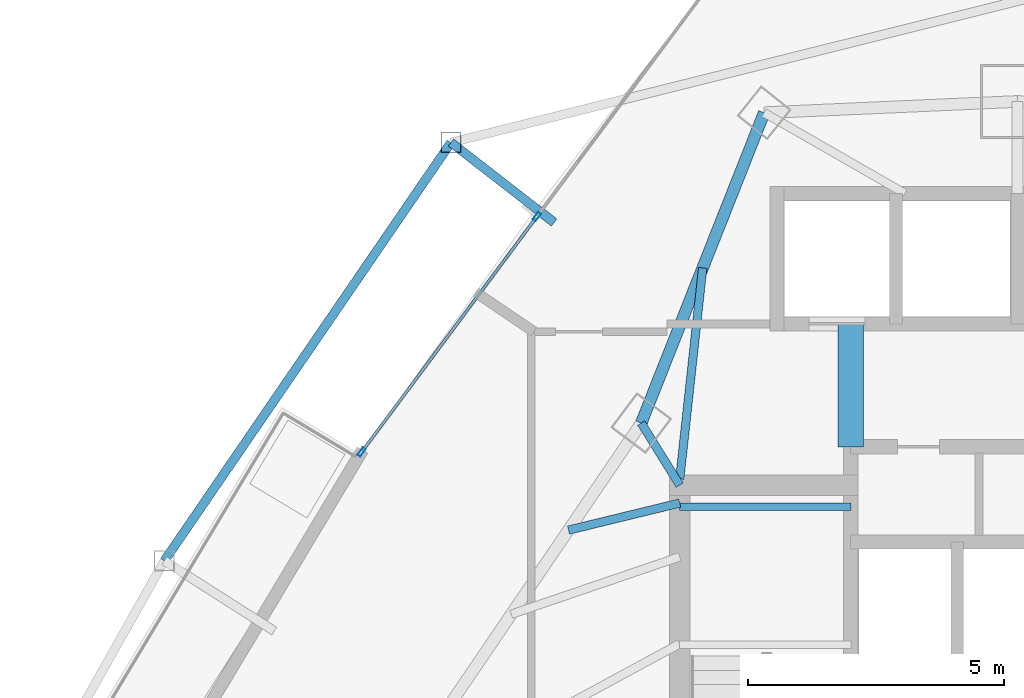
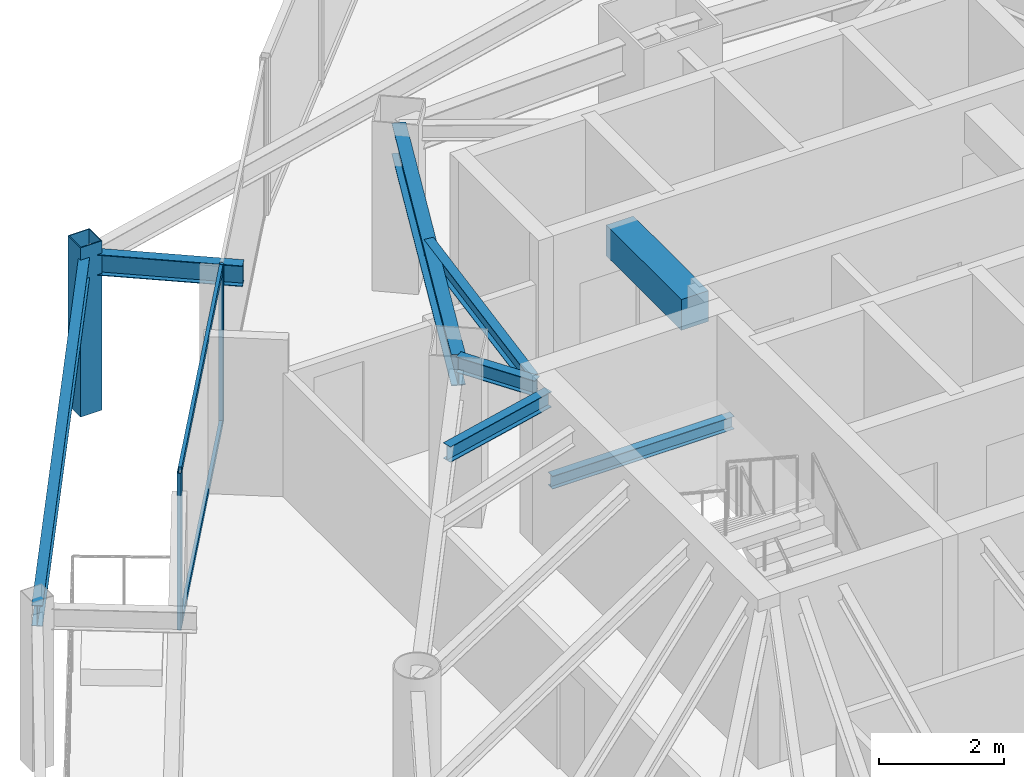
# One storey, part 20 of 33: 8 beams, 5 members, 1 element without a shape of its own.
"""IFC4 building model written with IfcOpenShell, lengths in metres."""

from ifc_helpers import new_model, si_unit, direction, frame, origin, origin_2d, place, context, subcontext, project, spatial, rectangle, hollow_rectangle, i_section, extrude, material, layer, layer_set, material_profile, profile_set, type_object, element, aggregate, save


model = new_model("IFC4")

# Units and contexts
model_context = context("Model", 3, precision=1e-05, world=origin(), true_north=direction((0.0, 1.0)))
body_context = subcontext(model_context, "Body", "Model", "MODEL_VIEW")
ifc_project = project(units=[si_unit("LENGTHUNIT", "METRE"), si_unit("AREAUNIT", "SQUARE_METRE"), si_unit("VOLUMEUNIT", "CUBIC_METRE"), si_unit("PLANEANGLEUNIT", "RADIAN"), si_unit("MASSUNIT", "GRAM", prefix="KILO")], contexts=[model_context])

# Site, building, storey
site_placement = place(None, origin())
site = spatial("IfcSite", under=ifc_project, at=site_placement, CompositionType="ELEMENT")
building_placement = place(site_placement, origin())
building = spatial("IfcBuilding", under=site, at=building_placement, Name="Orvanel Arch Residences", CompositionType="ELEMENT")
storey_placement = place(building_placement, frame((0.0, 0.0, 119.89990234375)))
storey = spatial("IfcBuildingStorey", under=building, at=storey_placement, Name="L33", CompositionType="ELEMENT", Elevation=119.89990234375)

# Beams
ifc_material_1 = material(Name="Structural steel AS/NZS 3679.1 Grade 300 (300 MPa)", Category="steel")
ifc_material_profile_1 = material_profile(ifc_material_1, i_section(OverallWidth=0.14599609375, OverallDepth=0.251953125, WebThickness=0.006103515625, FlangeThickness=0.008544921875, at=origin_2d()), Name="250UB31.4")
ifc_profile_set_1 = profile_set([ifc_material_profile_1], Name="Structural steel AS/NZS 3679.1 Grade 300 (300 MPa)")
beam_type_1 = type_object("IfcBeamType", Name="BJ-250UB", PredefinedType="JOIST", material=ifc_profile_set_1)
beam_1_placement = place(storey_placement, frame((26.39990234375, 33.47998046875, 1.32421875), z_axis=(1.0, 0.0, 0.0), x_axis=(0.0, 1.0, 0.0)))
element("IfcBeam", 1, at=beam_1_placement, inside=storey, type_object=beam_type_1, Name="L33 ST-1 Half-Landing Support Beam 1.2", PredefinedType="JOIST", context=body_context, shape_type="SweptSolid", body=[
    extrude(i_section(OverallWidth=0.14599609375, OverallDepth=0.251953125, WebThickness=0.006103515625, FlangeThickness=0.008544921875, at=origin_2d()), origin(), (0.0, 0.0, 1.0), 3.35009765625),
])
ifc_material_profile_2 = material_profile(ifc_material_1, i_section(OverallWidth=0.1650390625, OverallDepth=0.303955078125, WebThickness=0.006103515625, FlangeThickness=0.01025390625, at=origin_2d()), Name="310UB40.4")
ifc_profile_set_2 = profile_set([ifc_material_profile_2], Name="Structural steel AS/NZS 3679.1 Grade 300 (300 MPa)")
beam_type_2 = type_object("IfcBeamType", Name="BJ-310UB", PredefinedType="JOIST", material=ifc_profile_set_2)
beam_2_placement = place(storey_placement, frame((26.39990234375, 33.89990234375, 2.908203125), z_axis=(-0.526843290616, 0.84996243866, 0.0), x_axis=(-0.84996243866, -0.526843290616, 0.0)))
element("IfcBeam", 2, at=beam_2_placement, inside=storey, type_object=beam_type_2, Name="L33 NNW Wing Floor Joist", PredefinedType="JOIST", context=body_context, shape_type="SweptSolid", body=[
    extrude(i_section(OverallWidth=0.1650390625, OverallDepth=0.303955078125, WebThickness=0.006103515625, FlangeThickness=0.01025390625, at=origin_2d()), origin(), (0.0, 0.0, 1.0), 1.42724609375),
])
beam_3_placement = place(storey_placement, frame((26.39990234375, 34.02001953125, 2.908203125), z_axis=(0.108261441852, 0.99412245735, 0.0), x_axis=(-0.99412245735, 0.108261441852, 0.0)))
element("IfcBeam", 3, at=beam_3_placement, inside=storey, type_object=beam_type_2, Name="L33 NNW2 Wing Floor Joist", PredefinedType="JOIST", context=body_context, shape_type="SweptSolid", body=[
    extrude(i_section(OverallWidth=0.1650390625, OverallDepth=0.303955078125, WebThickness=0.006103515625, FlangeThickness=0.01025390625, at=origin_2d()), origin(), (0.0, 0.0, 1.0), 4.1494140625),
])
beam_4_placement = place(storey_placement, frame((26.39990234375, 33.550048828125, 2.908203125), z_axis=(-0.971638471014, -0.236471312521, 0.0), x_axis=(0.236471312521, -0.971638471014, 0.0)))
element("IfcBeam", 4, at=beam_4_placement, inside=storey, type_object=beam_type_2, Name="L33 JADD3 Wing Floor Joist", PredefinedType="JOIST", context=body_context, shape_type="SweptSolid", body=[
    extrude(i_section(OverallWidth=0.1650390625, OverallDepth=0.303955078125, WebThickness=0.006103515625, FlangeThickness=0.01025390625, at=origin_2d()), origin(), (0.0, 0.0, 1.0), 2.2373046875),
])
ifc_material_2 = material(Name="Concrete S65 (65 MPa)", Category="concrete")
ifc_material_profile_3 = material_profile(ifc_material_2, rectangle(XDim=0.5, YDim=0.60009765625, at=origin_2d()), Name="RC500x600")
ifc_profile_set_3 = profile_set([ifc_material_profile_3], Name="Concrete S65 (65 MPa)")
beam_type_3 = type_object("IfcBeamType", Name="CB-500x600", PredefinedType="LINTEL", material=ifc_profile_set_3)
beam_5_placement = place(storey_placement, frame((29.739990234375, 34.64990234375, 2.760009765625), z_axis=(0.0, 1.0, 0.0), x_axis=(-1.0, 0.0, 0.0)))
element("IfcBeam", 5, at=beam_5_placement, inside=storey, type_object=beam_type_3, Name="L33 West Core Lobby Coupling Lintel Beam", PredefinedType="LINTEL", context=body_context, shape_type="SweptSolid", body=[
    extrude(rectangle(XDim=0.5, YDim=0.60009765625, at=origin_2d()), origin(), (0.0, 0.0, 1.0), 2.400146484375),
])

# Curtain wall, members
ifc_material_3 = material(Name="Bronze-anodised aluminium AA6063-T6", Category="aluminium")
ifc_layer = layer(ifc_material_3, 0.179931640625)
ifc_layer_set = layer_set([ifc_layer], Name="Bronze-anodised aluminium AA6063-T6")
curtain_wall_type = type_object("IfcCurtainWallType", Name="CW3-MID-SYS", PredefinedType="NOTDEFINED", material=ifc_layer_set)
curtain_wall_placement = place(storey_placement, origin())
curtain_wall = element("IfcCurtainWall", 6, at=curtain_wall_placement, inside=storey, type_object=curtain_wall_type, Name="L33 CW3-MID-SYS Unitised Curtain Wall", PredefinedType="NOTDEFINED")
ifc_material_profile_4 = material_profile(ifc_material_3, hollow_rectangle(XDim=0.070068359375, YDim=0.179931640625, WallThickness=0.00439453125, at=origin_2d()), Name="ALU180x70x4.5")
ifc_profile_set_4 = profile_set([ifc_material_profile_4], Name="Bronze-anodised aluminium AA6063-T6")
member_type_1 = type_object("IfcMemberType", Name="MUL-180x70", PredefinedType="MULLION", material=ifc_profile_set_4)
member_1_placement = place(storey_placement, frame((23.607421875, 39.14599609375, 0.0), z_axis=(0.0, 0.0, 1.0), x_axis=(0.802116413742, -0.59716769739, 0.0)))
member_1 = element("IfcMember", 7, at=member_1_placement, type_object=member_type_1, Name="CW-S3 mullion 2", PredefinedType="MULLION", context=body_context, shape_type="SweptSolid", body=[
    extrude(hollow_rectangle(XDim=0.070068359375, YDim=0.179931640625, WallThickness=0.00439453125, at=origin_2d()), origin(), (0.0, 0.0, 1.0), 3.06005859375),
])
member_2_placement = place(storey_placement, frame((20.182861328125, 34.546142578125, 0.0), z_axis=(0.0, 0.0, 1.0), x_axis=(0.802116413742, -0.59716769739, 0.0)))
member_2 = element("IfcMember", 8, at=member_2_placement, type_object=member_type_1, Name="CW-S3 mullion 3", PredefinedType="MULLION", context=body_context, shape_type="SweptSolid", body=[
    extrude(hollow_rectangle(XDim=0.070068359375, YDim=0.179931640625, WallThickness=0.00439453125, at=origin_2d()), origin(), (0.0, 0.0, 1.0), 3.06005859375),
])

# Beams
ifc_material_profile_5 = material_profile(ifc_material_1, i_section(OverallWidth=0.177978515625, OverallDepth=0.406005859375, WebThickness=0.0078125, FlangeThickness=0.0126953125, at=origin_2d()), Name="410UB59.7")
ifc_profile_set_5 = profile_set([ifc_material_profile_5], Name="Structural steel AS/NZS 3679.1 Grade 300 (300 MPa)")
beam_type_4 = type_object("IfcBeamType", Name="OB-410UB-EXT", PredefinedType="SPANDREL", material=ifc_profile_set_5)
beam_6_placement = place(storey_placement, frame((23.945068359375, 39.032958984375, 2.857177734375), z_axis=(-0.790176277627, 0.612879637675, 0.0), x_axis=(-0.612879637675, -0.790176277627, 0.0)))
element("IfcBeam", 9, at=beam_6_placement, inside=storey, type_object=beam_type_4, Name="L33 Outer Frame Radial Tie Beam 01", PredefinedType="SPANDREL", context=body_context, shape_type="SweptSolid", body=[
    extrude(i_section(OverallWidth=0.177978515625, OverallDepth=0.406005859375, WebThickness=0.0078125, FlangeThickness=0.0126953125, at=origin_2d()), origin(), (0.0, 0.0, 1.0), 2.55029296875),
])
beam_7_placement = place(storey_placement, frame((21.929931640625, 40.595947265625, 2.857177734375), z_axis=(-0.565274592443, -0.824902803449, 0.0), x_axis=(0.824902803449, -0.565274592443, 0.0)))
element("IfcBeam", 10, at=beam_7_placement, inside=storey, type_object=beam_type_4, Name="L33 Outer Perimeter Floor Ring Beam 01", PredefinedType="SPANDREL", context=body_context, shape_type="SweptSolid", body=[
    extrude(i_section(OverallWidth=0.177978515625, OverallDepth=0.406005859375, WebThickness=0.0078125, FlangeThickness=0.0126953125, at=origin_2d()), origin(), (0.0, 0.0, 1.0), 9.910400390625),
])
ifc_material_profile_6 = material_profile(ifc_material_1, i_section(OverallWidth=0.22900390625, OverallDepth=0.612060546875, WebThickness=0.011962890625, FlangeThickness=0.01953125, at=origin_2d()), Name="610UB125")
ifc_profile_set_6 = profile_set([ifc_material_profile_6], Name="Structural steel AS/NZS 3679.1 Grade 300 (300 MPa)")
beam_type_5 = type_object("IfcBeamType", Name="SP-610UB", PredefinedType="SPANDREL", material=ifc_profile_set_6)
beam_8_placement = place(storey_placement, frame((28.050048828125, 41.177978515625, 2.754150390625), z_axis=(-0.368233143579, -0.929733484376, 0.0), x_axis=(0.929733484376, -0.368233143579, 0.0)))
element("IfcBeam", 11, at=beam_8_placement, inside=storey, type_object=beam_type_5, Name="L33 Perimeter Spandrel Beam 16", PredefinedType="SPANDREL", context=body_context, shape_type="SweptSolid", body=[
    extrude(i_section(OverallWidth=0.22900390625, OverallDepth=0.612060546875, WebThickness=0.011962890625, FlangeThickness=0.01953125, at=origin_2d()), origin(), (0.0, 0.0, 1.0), 6.523193359375),
])

# Member
ifc_material_4 = material(Name="Structural steel AS/NZS 1163 C450L0 (Grade 450)", Category="steel")
ifc_material_profile_7 = material_profile(ifc_material_4, hollow_rectangle(XDim=0.39990234375, YDim=0.39990234375, WallThickness=0.01611328125, at=origin_2d()), Name="SHS400x400x16")
ifc_profile_set_7 = profile_set([ifc_material_profile_7], Name="Structural steel AS/NZS 1163 C450L0 (Grade 450)")
member_type_2 = type_object("IfcMemberType", Name="ST-400SHS-EXT", PredefinedType="STRUT", material=ifc_profile_set_7)
member_3_placement = place(storey_placement, frame((21.929931640625, 40.595947265625, 0.0), z_axis=(0.0, 0.0, 1.0), x_axis=(1.0, 0.0, 0.0)))
element("IfcMember", 12, at=member_3_placement, inside=storey, type_object=member_type_2, Name="L33 Outer Perimeter Frame Post 01", PredefinedType="STRUT", context=body_context, shape_type="SweptSolid", body=[
    extrude(hollow_rectangle(XDim=0.39990234375, YDim=0.39990234375, WallThickness=0.01611328125, at=origin_2d()), origin(), (0.0, 0.0, 1.0), 3.300048828125),
])

ifc_material_profile_8 = material_profile(ifc_material_3, hollow_rectangle(XDim=0.06005859375, YDim=0.135009765625, WallThickness=0.00390625, at=origin_2d()), Name="ALU135x60x4")
ifc_profile_set_8 = profile_set([ifc_material_profile_8], Name="Bronze-anodised aluminium AA6063-T6")
member_type_3 = type_object("IfcMemberType", Name="TRN-135x60", PredefinedType="USERDEFINED", material=ifc_profile_set_8)
member_4_placement = place(storey_placement, frame((23.586669921875, 39.117919921875, 0.030029296875), z_axis=(-0.597175890933, -0.802110313666, 0.0), x_axis=(0.802110313666, -0.597175890933, 0.0)))
member_4 = element("IfcMember", 13, at=member_4_placement, type_object=member_type_3, Name="CW-S3 transom 2.1", ObjectType="TRANSOM", PredefinedType="USERDEFINED", context=body_context, shape_type="SweptSolid", body=[
    extrude(hollow_rectangle(XDim=0.06005859375, YDim=0.135009765625, WallThickness=0.00390625, at=origin_2d()), origin(), (0.0, 0.0, 1.0), 5.664794921875),
])

member_5_placement = place(storey_placement, frame((23.586669921875, 39.117919921875, 3.030029296875), z_axis=(-0.597175890933, -0.802110313666, 0.0), x_axis=(0.802110313666, -0.597175890933, 0.0)))
member_5 = element("IfcMember", 14, at=member_5_placement, type_object=member_type_3, Name="CW-S3 transom 2.2", ObjectType="TRANSOM", PredefinedType="USERDEFINED", context=body_context, shape_type="SweptSolid", body=[
    extrude(hollow_rectangle(XDim=0.06005859375, YDim=0.135009765625, WallThickness=0.00390625, at=origin_2d()), origin(), (0.0, 0.0, 1.0), 5.664794921875),
])

aggregate(curtain_wall, [member_1, member_2, member_4, member_5])

save(model, "model.ifc")
